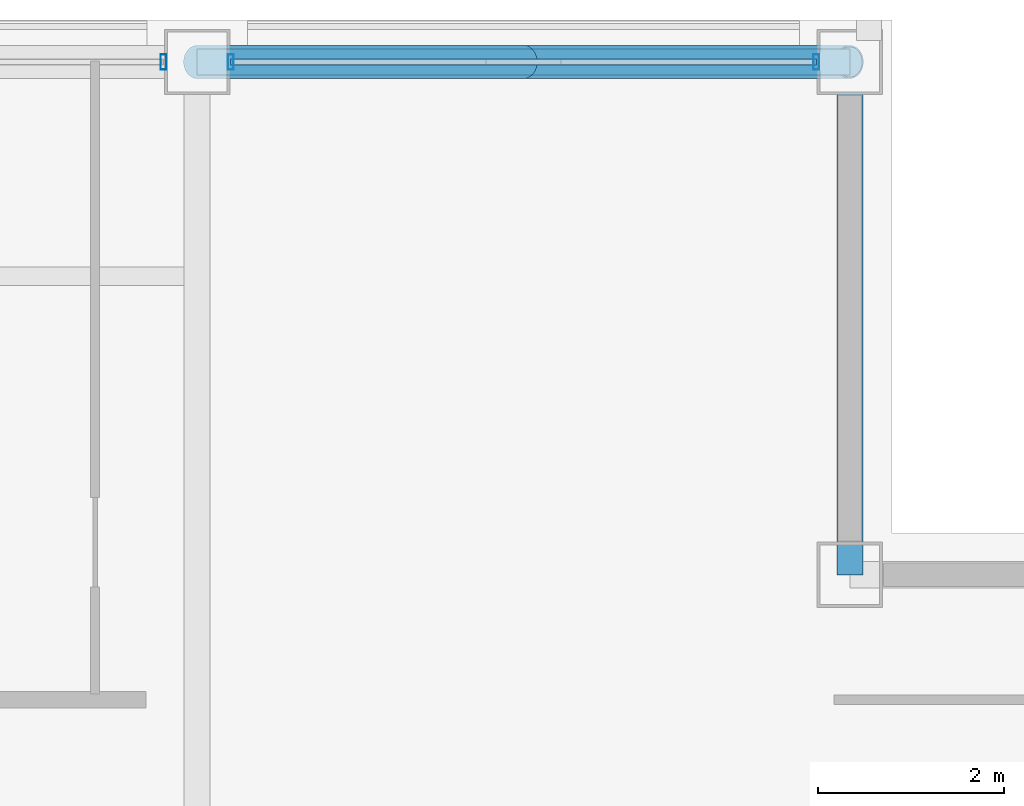
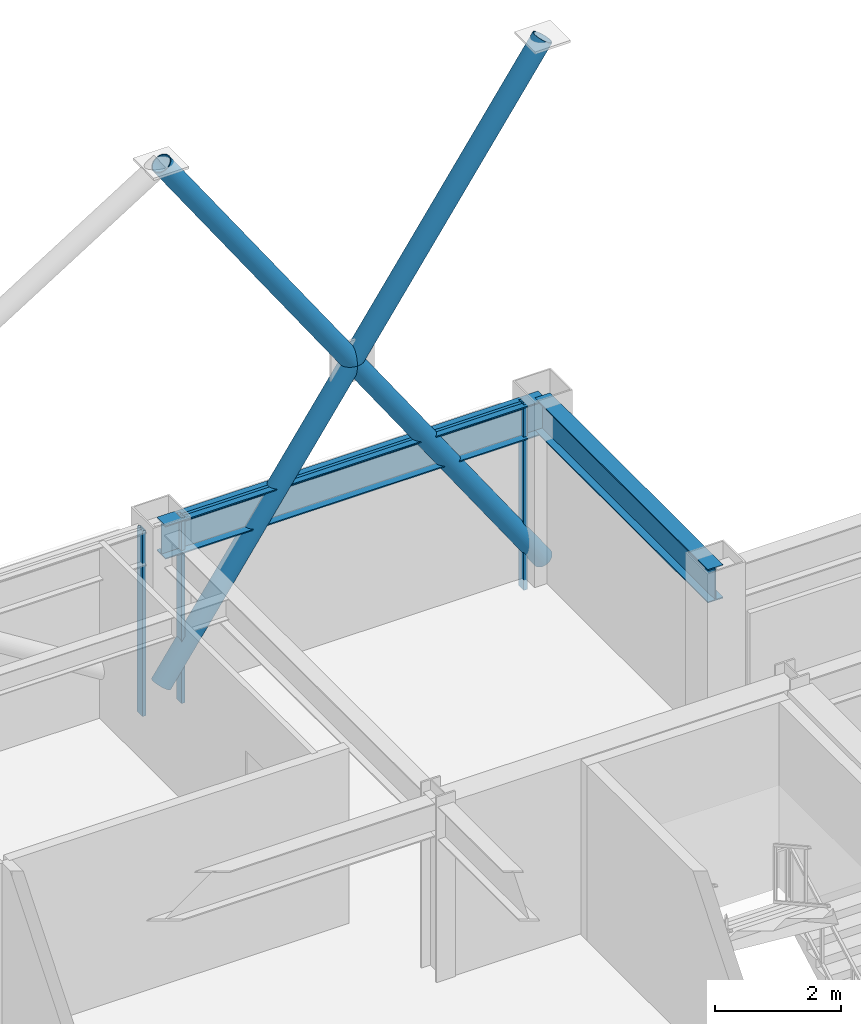
# One storey, part 25 of 33: 7 members, 2 beams, 2 elements without a shape of their own.
"""IFC4 building model written with IfcOpenShell, lengths in metres."""

from ifc_helpers import new_model, si_unit, direction, frame, origin, origin_2d, place, context, subcontext, project, spatial, hollow_rectangle, hollow_circle, i_section, extrude, material, layer, layer_set, material_profile, profile_set, type_object, element, aggregate, save


model = new_model("IFC4")

# Units and contexts
model_context = context("Model", 3, precision=1e-05, world=origin(), true_north=direction((0.0, 1.0)))
body_context = subcontext(model_context, "Body", "Model", "MODEL_VIEW")
ifc_project = project(units=[si_unit("LENGTHUNIT", "METRE"), si_unit("AREAUNIT", "SQUARE_METRE"), si_unit("VOLUMEUNIT", "CUBIC_METRE"), si_unit("PLANEANGLEUNIT", "RADIAN"), si_unit("MASSUNIT", "GRAM", prefix="KILO")], contexts=[model_context])

# Site, building, storey
site_placement = place(None, origin())
site = spatial("IfcSite", under=ifc_project, at=site_placement, CompositionType="ELEMENT")
building_placement = place(site_placement, origin())
building = spatial("IfcBuilding", under=site, at=building_placement, Name="Brelmoor Portico Tower", CompositionType="ELEMENT")
storey_placement = place(building_placement, frame((0.0, 0.0, 183.89990234375)))
storey = spatial("IfcBuildingStorey", under=building, at=storey_placement, Name="L48", CompositionType="ELEMENT", Elevation=183.89990234375)

# Beams
ifc_material_1 = material(Name="Steel Q355B", Category="steel")
ifc_material_profile_1 = material_profile(ifc_material_1, i_section(OverallWidth=0.280029296875, OverallDepth=0.64990234375, WebThickness=0.012939453125, FlangeThickness=0.02197265625, at=origin_2d()), Name="HN 650x280x13x22")
ifc_profile_set_1 = profile_set([ifc_material_profile_1], Name="Steel Q355B")
beam_type = type_object("IfcBeamType", Name="BM-SP-650", PredefinedType="SPANDREL", material=ifc_profile_set_1)
beam_1_placement = place(storey_placement, frame((8.050048828125, 18.550048828125, 3.0751953125), z_axis=(1.0, 0.0, 0.0), x_axis=(0.0, 1.0, 0.0)))
element("IfcBeam", 1, at=beam_1_placement, inside=storey, type_object=beam_type, Name="L48 Perimeter Spandrel Beam SP-10", PredefinedType="SPANDREL", context=body_context, shape_type="SweptSolid", body=[
    extrude(i_section(OverallWidth=0.280029296875, OverallDepth=0.64990234375, WebThickness=0.012939453125, FlangeThickness=0.02197265625, at=origin_2d()), origin(), (0.0, 0.0, 1.0), 7.0),
])
beam_2_placement = place(storey_placement, frame((15.050048828125, 13.050048828125, 3.0751953125), z_axis=(0.0, 1.0, 0.0), x_axis=(-1.0, 0.0, 0.0)))
element("IfcBeam", 2, at=beam_2_placement, inside=storey, type_object=beam_type, Name="L48 Perimeter Spandrel Beam SP-17", PredefinedType="SPANDREL", context=body_context, shape_type="SweptSolid", body=[
    extrude(i_section(OverallWidth=0.280029296875, OverallDepth=0.64990234375, WebThickness=0.012939453125, FlangeThickness=0.02197265625, at=origin_2d()), origin(), (0.0, 0.0, 1.0), 5.5),
])

# Members
ifc_material_profile_2 = material_profile(ifc_material_1, hollow_circle(Radius=0.177978515625, WallThickness=0.01611328125, at=origin_2d()), Name="CHS 356x16")
ifc_profile_set_2 = profile_set([ifc_material_profile_2], Name="Steel Q355B")
member_type_1 = type_object("IfcMemberType", Name="MB-BELT-DIAG2", PredefinedType="BRACE", material=ifc_profile_set_2)
member_1_placement = place(storey_placement, frame((8.050048828125, 18.550048828125, 0.25), z_axis=(0.569629338867, 0.0, 0.821901707203), x_axis=(0.0, 1.0, 0.0)))
element("IfcMember", 3, at=member_1_placement, inside=storey, type_object=member_type_1, Name="L48 Continuous Mega-X Brace 110A", PredefinedType="BRACE", context=body_context, shape_type="SweptSolid", body=[
    extrude(hollow_circle(Radius=0.177978515625, WallThickness=0.01611328125, at=origin_2d()), origin(), (0.0, 0.0, 1.0), 12.28857421875),
])
for number, where, z_axis, x_axis, name in (
    (4, (15.050048828125, 18.550048828125, 0.25), (-0.569629338867, 0.0, 0.821901707203), (0.0, -1.0, 0.0), "L48 Split Mega-X Brace 110B1"),
    (5, (11.550048828125, 18.550048828125, 5.300048828125), (-0.569629338867, 0.0, 0.821901707203), (0.0, -1.0, 0.0), "L48 Split Mega-X Brace 110B2"),
):
    element("IfcMember", number, at=place(storey_placement, frame(where, z_axis=z_axis, x_axis=x_axis)), inside=storey, type_object=member_type_1, Name=name, PredefinedType="BRACE", context=body_context, shape_type="SweptSolid", body=[
        extrude(hollow_circle(Radius=0.177978515625, WallThickness=0.01611328125, at=origin_2d()), origin(), (0.0, 0.0, 1.0), 6.144287109375),
    ])

# Curtain wall, member
ifc_material_2 = material(Name="Anodised Aluminium Alloy 6063-T6", Category="aluminium")
ifc_layer = layer(ifc_material_2, 0.179931640625)
ifc_layer_set = layer_set([ifc_layer], Name="Anodised Aluminium Alloy 6063-T6")
curtain_wall_type = type_object("IfcCurtainWallType", Name="CW-TOWER-Z3-XB", PredefinedType="NOTDEFINED", material=ifc_layer_set)
curtain_wall_1_placement = place(storey_placement, origin())
curtain_wall_1 = element("IfcCurtainWall", 6, at=curtain_wall_1_placement, inside=storey, type_object=curtain_wall_type, Name="L48 Curtain Wall CW-L48-02-2", PredefinedType="NOTDEFINED")
ifc_material_profile_3 = material_profile(ifc_material_2, hollow_rectangle(XDim=0.06494140625, YDim=0.1650390625, WallThickness=0.00390625, at=origin_2d()), Name="ALU MULLION 65x165")
ifc_profile_set_3 = profile_set([ifc_material_profile_3], Name="Anodised Aluminium Alloy 6063-T6")
member_type_2 = type_object("IfcMemberType", Name="MB-CW-MULL-165", PredefinedType="MULLION", material=ifc_profile_set_3)
member_2_placement = place(storey_placement, frame((7.68994140625, 18.550048828125, -0.199951171875), z_axis=(0.0, 0.0, 1.0), x_axis=(1.0, 0.0, 0.0)))
member_2 = element("IfcMember", 7, at=member_2_placement, type_object=member_type_2, Name="CW-L48-02-2 Mullion 01", PredefinedType="MULLION", context=body_context, shape_type="SweptSolid", body=[
    extrude(hollow_rectangle(XDim=0.06494140625, YDim=0.1650390625, WallThickness=0.00390625, at=origin_2d()), origin(), (0.0, 0.0, 1.0), 3.60009765625),
])
aggregate(curtain_wall_1, [member_2])

# Curtain wall, members
curtain_wall_2_placement = place(storey_placement, origin())
curtain_wall_2 = element("IfcCurtainWall", 8, at=curtain_wall_2_placement, inside=storey, type_object=curtain_wall_type, Name="L48 Curtain Wall CW-L48-02-3", PredefinedType="NOTDEFINED")
member_3_placement = place(storey_placement, frame((8.409912109375, 18.550048828125, -0.199951171875), z_axis=(0.0, 0.0, 1.0), x_axis=(1.0, 0.0, 0.0)))
member_3 = element("IfcMember", 9, at=member_3_placement, type_object=member_type_2, Name="CW-L48-02-3 Mullion 00", PredefinedType="MULLION", context=body_context, shape_type="SweptSolid", body=[
    extrude(hollow_rectangle(XDim=0.06494140625, YDim=0.1650390625, WallThickness=0.00390625, at=origin_2d()), origin(), (0.0, 0.0, 1.0), 3.60009765625),
])
member_4_placement = place(storey_placement, frame((14.68994140625, 18.550048828125, -0.199951171875), z_axis=(0.0, 0.0, 1.0), x_axis=(1.0, 0.0, 0.0)))
member_4 = element("IfcMember", 10, at=member_4_placement, type_object=member_type_2, Name="CW-L48-02-3 Mullion 01", PredefinedType="MULLION", context=body_context, shape_type="SweptSolid", body=[
    extrude(hollow_rectangle(XDim=0.06494140625, YDim=0.1650390625, WallThickness=0.00390625, at=origin_2d()), origin(), (0.0, 0.0, 1.0), 3.60009765625),
])
ifc_material_profile_4 = material_profile(ifc_material_2, hollow_rectangle(XDim=0.06005859375, YDim=0.125, WallThickness=0.00341796875, at=origin_2d()), Name="ALU TRANSOM 60x125")
ifc_profile_set_4 = profile_set([ifc_material_profile_4], Name="Anodised Aluminium Alloy 6063-T6")
member_type_3 = type_object("IfcMemberType", Name="MB-CW-TRAN-125", PredefinedType="USERDEFINED", material=ifc_profile_set_4)
member_5_placement = place(storey_placement, frame((8.409912109375, 18.550048828125, 3.337646484375), z_axis=(1.0, 0.0, 0.0), x_axis=(0.0, 1.0, 0.0)))
member_5 = element("IfcMember", 11, at=member_5_placement, type_object=member_type_3, Name="CW-L48-02-3 Transom 1-00", ObjectType="TRANSOM", PredefinedType="USERDEFINED", context=body_context, shape_type="SweptSolid", body=[
    extrude(hollow_rectangle(XDim=0.06005859375, YDim=0.125, WallThickness=0.00341796875, at=origin_2d()), origin(), (0.0, 0.0, 1.0), 6.280029296875),
])
aggregate(curtain_wall_2, [member_3, member_4, member_5])

save(model, "model.ifc")
